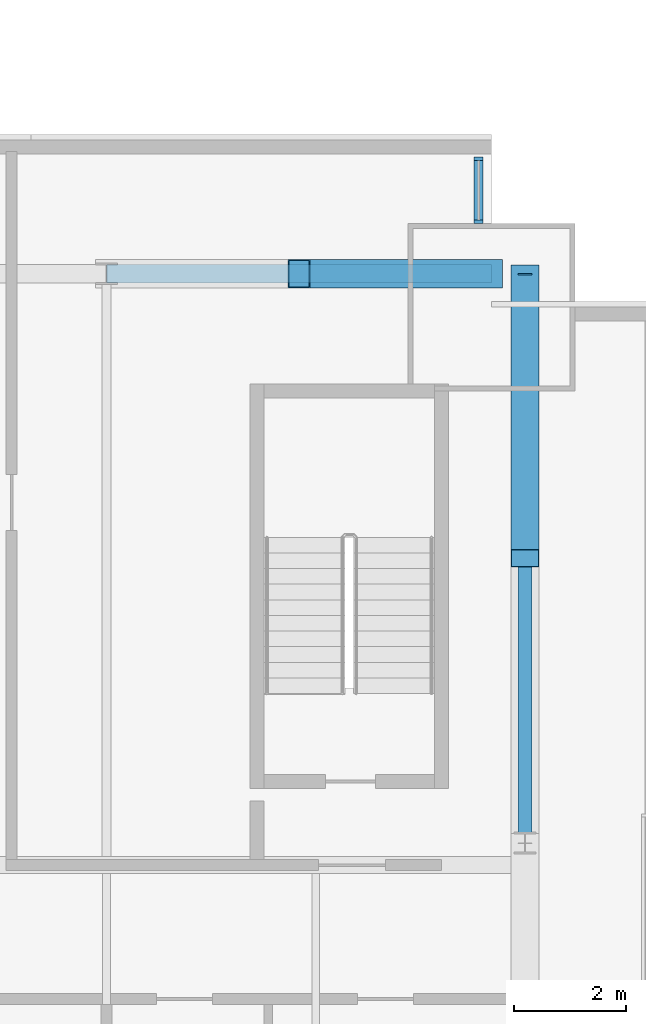
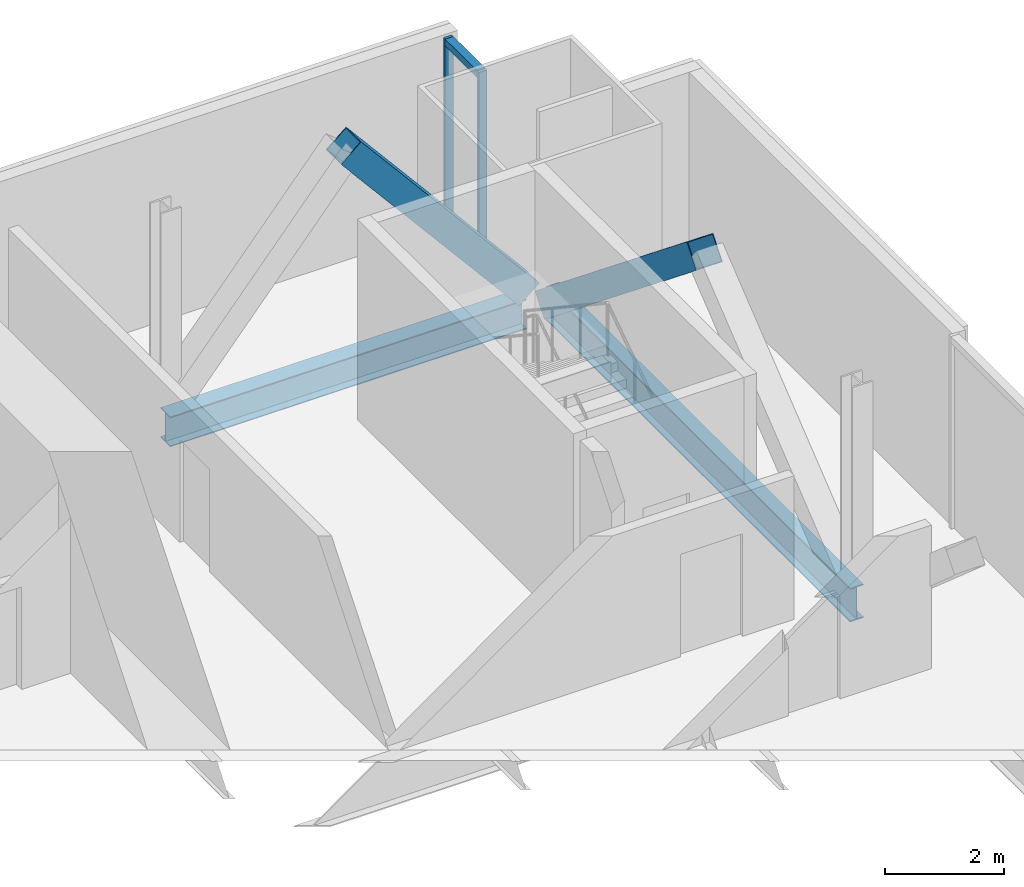
# One storey, part 13 of 21: 5 members, 2 beams, 1 element without a shape of its own.
"""IFC4 building model written with IfcOpenShell, lengths in metres."""

from ifc_helpers import new_model, si_unit, direction, frame, origin, origin_2d, place, context, subcontext, project, spatial, rectangle, hollow_rectangle, i_section, extrude, material, material_profile, profile_set, type_object, element, aggregate, save


model = new_model("IFC4")

# Units and contexts
model_context = context("Model", 3, precision=1e-05, world=origin(), true_north=direction((0.0, 1.0)))
body_context = subcontext(model_context, "Body", "Model", "MODEL_VIEW")
ifc_project = project(units=[si_unit("LENGTHUNIT", "METRE"), si_unit("AREAUNIT", "SQUARE_METRE"), si_unit("VOLUMEUNIT", "CUBIC_METRE"), si_unit("PLANEANGLEUNIT", "RADIAN"), si_unit("MASSUNIT", "GRAM", prefix="KILO")], contexts=[model_context])

# Site, building, storey
site_placement = place(None, origin())
site = spatial("IfcSite", under=ifc_project, at=site_placement, CompositionType="ELEMENT")
building_placement = place(site_placement, origin())
building = spatial("IfcBuilding", under=site, at=building_placement, Name="Bicima Exchange Tower", CompositionType="ELEMENT")
storey_placement = place(building_placement, frame((0.0, 0.0, 126.800048828125)))
storey = spatial("IfcBuildingStorey", under=building, at=storey_placement, Name="L27", CompositionType="ELEMENT", Elevation=126.800048828125)

# Beam
ifc_material_1 = material(Name="Steel ASTM A992 Gr 50", Category="steel")
ifc_material_profile_1 = material_profile(ifc_material_1, i_section(OverallWidth=0.256591796875, OverallDepth=0.693359375, WebThickness=0.014404296875, FlangeThickness=0.023681640625, at=origin_2d()))
ifc_profile_set_1 = profile_set([ifc_material_profile_1], Name="Steel ASTM A992 Gr 50")
beam_type_1 = type_object("IfcBeamType", Name="End girder W27x114", PredefinedType="BEAM", material=ifc_profile_set_1)
beam_1_placement = place(storey_placement, frame((33.60009765625, -2.39990234375, -0.496826171875), z_axis=(0.0, -1.0, 0.0), x_axis=(1.0, 0.0, 0.0)))
element("IfcBeam", 1, at=beam_1_placement, inside=storey, type_object=beam_type_1, Name="End girder", PredefinedType="BEAM", context=body_context, shape_type="SweptSolid", body=[
    extrude(i_section(OverallWidth=0.256591796875, OverallDepth=0.693359375, WebThickness=0.014404296875, FlangeThickness=0.023681640625, at=origin_2d()), origin(), (0.0, 0.0, 1.0), 10.2001953125),
])

# Curtain wall, members
ifc_material_2 = material(Name="Anodised bronze aluminium", Category="aluminium")
curtain_wall_type = type_object("IfcCurtainWallType", Name="Front glass wall", PredefinedType="NOTDEFINED", material=ifc_material_2)
curtain_wall_placement = place(storey_placement, origin())
curtain_wall = element("IfcCurtainWall", 2, at=curtain_wall_placement, inside=storey, type_object=curtain_wall_type, Name="Front glass wall L27 run 20", PredefinedType="NOTDEFINED")
ifc_material_profile_2 = material_profile(ifc_material_2, rectangle(XDim=0.159912109375, YDim=0.06005859375, at=origin_2d()))
ifc_profile_set_2 = profile_set([ifc_material_profile_2], Name="Anodised bronze aluminium")
member_type_1 = type_object("IfcMemberType", Name="Front glass wall mullion 60 x 160", PredefinedType="MULLION", material=ifc_profile_set_2)
member_1_placement = place(storey_placement, frame((32.77001953125, -1.469970703125, 0.0), z_axis=(0.0, 0.0, 1.0), x_axis=(-1.0, 0.0, 0.0)))
member_1 = element("IfcMember", 3, at=member_1_placement, type_object=member_type_1, Name="Front glass wall mullion 1", PredefinedType="MULLION", context=body_context, shape_type="SweptSolid", body=[
    extrude(rectangle(XDim=0.159912109375, YDim=0.06005859375, at=origin_2d()), origin(), (0.0, 0.0, 1.0), 3.949951171875),
])
member_2_placement = place(storey_placement, frame((32.77001953125, -0.340087890625, 0.0), z_axis=(0.0, 0.0, 1.0), x_axis=(-1.0, 0.0, 0.0)))
member_2 = element("IfcMember", 4, at=member_2_placement, type_object=member_type_1, Name="Front glass wall mullion 2", PredefinedType="MULLION", context=body_context, shape_type="SweptSolid", body=[
    extrude(rectangle(XDim=0.159912109375, YDim=0.06005859375, at=origin_2d()), origin(), (0.0, 0.0, 1.0), 3.949951171875),
])
ifc_material_profile_3 = material_profile(ifc_material_2, rectangle(XDim=0.159912109375, YDim=0.139892578125, at=origin_2d()))
ifc_profile_set_3 = profile_set([ifc_material_profile_3], Name="Anodised bronze aluminium")
member_type_2 = type_object("IfcMemberType", Name="Front glass wall transom 140 x 160", PredefinedType="USERDEFINED", material=ifc_profile_set_3)
member_3_placement = place(storey_placement, frame((32.77001953125, -1.43994140625, 3.8798828125), z_axis=(0.0, 1.0, 0.0), x_axis=(-1.0, 0.0, 0.0)))
member_3 = element("IfcMember", 5, at=member_3_placement, type_object=member_type_2, Name="Front glass wall transom 1.1", ObjectType="TRANSOM", PredefinedType="USERDEFINED", context=body_context, shape_type="SweptSolid", body=[
    extrude(rectangle(XDim=0.159912109375, YDim=0.139892578125, at=origin_2d()), origin(), (0.0, 0.0, 1.0), 1.06982421875),
])
aggregate(curtain_wall, [member_1, member_2, member_3])

# Members
ifc_material_3 = material(Name="Steel ASTM A572 Gr 50", Category="steel")
ifc_material_profile_4 = material_profile(ifc_material_3, hollow_rectangle(XDim=0.508056640625, YDim=0.508056640625, WallThickness=0.0146484375, at=origin_2d()))
ifc_profile_set_4 = profile_set([ifc_material_profile_4], Name="Steel ASTM A572 Gr 50")
member_type_3 = type_object("IfcMemberType", Name="Mega brace HSS20x20x5/8", PredefinedType="BRACE", material=ifc_profile_set_4)
member_4_placement = place(storey_placement, frame((33.0, -2.39990234375, 0.0), z_axis=(-0.643856488545, 0.0, 0.765146275008), x_axis=(0.0, -1.0, 0.0)))
element("IfcMember", 6, at=member_4_placement, inside=storey, type_object=member_type_3, Name="Mega brace rear", PredefinedType="BRACE", context=body_context, shape_type="SweptSolid", body=[
    extrude(hollow_rectangle(XDim=0.508056640625, YDim=0.508056640625, WallThickness=0.0146484375, at=origin_2d()), origin(), (0.0, 0.0, 1.0), 5.358154296875),
])
member_5_placement = place(storey_placement, frame((33.60009765625, -2.39990234375, -0.496826171875), z_axis=(0.0, -0.779374241895, 0.626558689247), x_axis=(1.0, 0.0, 0.0)))
element("IfcMember", 7, at=member_5_placement, inside=storey, type_object=member_type_3, Name="Mega brace east end", PredefinedType="BRACE", context=body_context, shape_type="SweptSolid", body=[
    extrude(hollow_rectangle(XDim=0.508056640625, YDim=0.508056640625, WallThickness=0.0146484375, at=origin_2d()), origin(), (0.0, 0.0, 1.0), 6.5439453125),
])

# Beam
ifc_material_profile_5 = material_profile(ifc_material_1, i_section(OverallWidth=0.3251953125, OverallDepth=0.612060546875, WebThickness=0.0126953125, FlangeThickness=0.01904296875, at=origin_2d()))
ifc_profile_set_5 = profile_set([ifc_material_profile_5], Name="Steel ASTM A992 Gr 50")
beam_type_2 = type_object("IfcBeamType", Name="Rear girder W24x104", PredefinedType="BEAM", material=ifc_profile_set_5)
beam_2_placement = place(storey_placement, frame((26.10009765625, -2.39990234375, -0.4560546875), z_axis=(1.0, 0.0, 0.0), x_axis=(0.0, 1.0, 0.0)))
element("IfcBeam", 8, at=beam_2_placement, inside=storey, type_object=beam_type_2, Name="Rear girder", PredefinedType="BEAM", context=body_context, shape_type="SweptSolid", body=[
    extrude(i_section(OverallWidth=0.3251953125, OverallDepth=0.612060546875, WebThickness=0.0126953125, FlangeThickness=0.01904296875, at=origin_2d()), origin(), (0.0, 0.0, 1.0), 6.89990234375),
])

save(model, "model.ifc")
